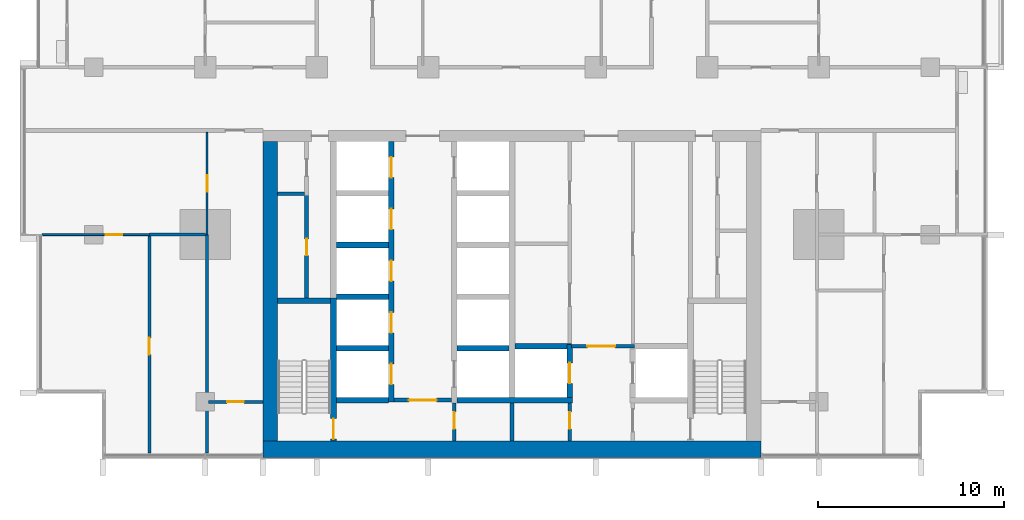
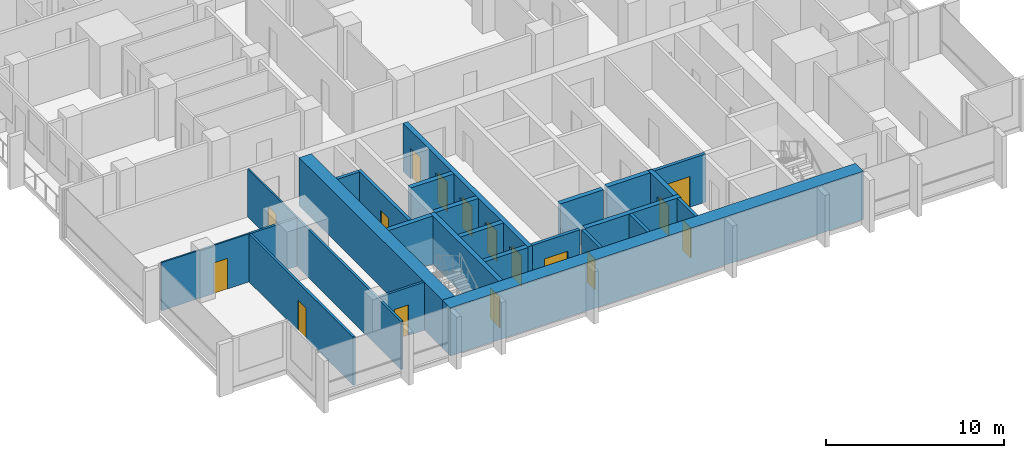
# One storey, part 7 of 17: 26 walls, 16 doors, 16 openings.
"""IFC4 building model written with IfcOpenShell, lengths in metres."""

from ifc_helpers import new_model, si_unit, direction, frame, frame_2d, origin, place, context, subcontext, project, spatial, rectangle, extrude, material, layer, layer_set, type_object, element, fill, save


model = new_model("IFC4")

# Units and contexts
model_context = context("Model", 3, precision=1e-05, world=origin(), true_north=direction((0.0, 1.0)))
body_context = subcontext(model_context, "Body", "Model", "MODEL_VIEW")
ifc_project = project(units=[si_unit("LENGTHUNIT", "METRE"), si_unit("AREAUNIT", "SQUARE_METRE"), si_unit("VOLUMEUNIT", "CUBIC_METRE"), si_unit("PLANEANGLEUNIT", "RADIAN"), si_unit("MASSUNIT", "GRAM", prefix="KILO")], contexts=[model_context])

# Site, building, storey
site_placement = place(None, origin())
site = spatial("IfcSite", under=ifc_project, at=site_placement, CompositionType="ELEMENT")
building_placement = place(site_placement, origin())
building = spatial("IfcBuilding", under=site, at=building_placement, Name="Finial Court Residences", CompositionType="ELEMENT")
storey_placement = place(building_placement, frame((0.0, 0.0, 102.699951171875)))
storey = spatial("IfcBuildingStorey", under=building, at=storey_placement, Name="L25", CompositionType="ELEMENT", Elevation=102.699951171875)

# Walls
ifc_material_1 = material(Name="Concrete C70/85", Category="concrete")
ifc_layer_1 = layer(ifc_material_1, 0.800048828125)
ifc_layer_set_1 = layer_set([ifc_layer_1], Name="Core outer wall 800 Concrete C70/85")
wall_type_1 = type_object("IfcWallType", Name="Core outer wall 800 Concrete C70/85", PredefinedType="SHEAR", material=ifc_layer_set_1)
wall_1_placement = place(storey_placement, frame((-13.0, -24.60009765625, 0.0), z_axis=(0.0, 0.0, 1.0), x_axis=(0.0, 1.0, 0.0)))
element("IfcWall", 1, at=wall_1_placement, inside=storey, type_object=wall_type_1, Name="Core outer wall L25-03", PredefinedType="SHEAR", context=body_context, shape_type="SweptSolid", body=[
    extrude(rectangle(XDim=16.10009765625, YDim=0.800048828125, at=frame_2d((8.050048828125, 0.0))), origin(), (0.0, 0.0, 1.0), 3.300048828125),
])
ifc_layer_2 = layer(ifc_material_1, 0.89990234375)
ifc_layer_set_2 = layer_set([ifc_layer_2], Name="Core south facade wall 900 Concrete C70/85")
wall_type_2 = type_object("IfcWallType", Name="Core south facade wall 900 Concrete C70/85", PredefinedType="SHEAR", material=ifc_layer_set_2)
wall_2_placement = place(storey_placement, frame((-13.39990234375, -25.050048828125, 0.0), z_axis=(0.0, 0.0, 1.0), x_axis=(1.0, 0.0, 0.0)))
element("IfcWall", 2, at=wall_2_placement, inside=storey, type_object=wall_type_2, Name="Core outer wall L25-01", PredefinedType="SHEAR", context=body_context, shape_type="SweptSolid", body=[
    extrude(rectangle(XDim=26.7998046875, YDim=0.89990234375, at=frame_2d((13.39990234375, 0.0))), origin(), (0.0, 0.0, 1.0), 3.300048828125),
])

# Wall, opening, door
ifc_material_2 = material(Name="Fire-rated gypsum board partition")
ifc_layer_3 = layer(ifc_material_2, 0.199951171875)
ifc_layer_set_3 = layer_set([ifc_layer_3], Name="Firefighting lobby wall 200 EI 120")
wall_type_3 = type_object("IfcWallType", Name="Firefighting lobby wall 200 EI 120", PredefinedType="PARTITIONING", material=ifc_layer_set_3)
wall_3_placement = place(storey_placement, frame((6.574951171875, -19.5, 0.0), z_axis=(0.0, 0.0, 1.0), x_axis=(-1.0, 0.0, 0.0)))
wall_3 = element("IfcWall", 3, at=wall_3_placement, inside=storey, type_object=wall_type_3, Name="Core partition L25-08", PredefinedType="PARTITIONING", context=body_context, shape_type="SweptSolid", body=[
    extrude(rectangle(XDim=3.375, YDim=0.199951171875, at=frame_2d((1.6875, 0.0))), origin(), (0.0, 0.0, 1.0), 3.300048828125),
])
opening_1_placement = place(wall_3_placement, frame((1.02490234375, 0.0, 0.0)))
opening_1 = element("IfcOpeningElement", 4, at=opening_1_placement, cuts=wall_3, Name="Opening L25-C02", PredefinedType="OPENING", context=body_context, shape_type="SweptSolid", body=[
    extrude(rectangle(XDim=1.5, YDim=2.10009765625, at=frame_2d((0.75, 1.050048828125))), frame((0.0, 0.10986328125, 0.0), z_axis=(0.0, -1.0, 0.0), x_axis=(1.0, 0.0, 0.0)), (0.0, 0.0, 1.0), 0.219970703125),
])
ifc_material_3 = material(Name="Steel fire door", Category="steel")
door_type_1 = type_object("IfcDoorType", Name="Firefighting lobby door 1500 x 2100 EI 90", OperationType="DOUBLE_DOOR_SINGLE_SWING", PredefinedType="DOOR", material=ifc_material_3)
door_1_placement = place(opening_1_placement, origin())
door_1 = element("IfcDoor", 5, at=door_1_placement, inside=storey, type_object=door_type_1, Name="Firefighting lobby door L25-C02", OperationType="DOUBLE_DOOR_SINGLE_SWING", OverallHeight=2.10009765625, OverallWidth=1.5, PredefinedType="DOOR", context=body_context, shape_type="SweptSolid", body=[
    extrude(rectangle(XDim=1.5, YDim=2.10009765625, at=frame_2d((0.75, 1.050048828125))), frame((0.0, 0.02490234375, 0.0), z_axis=(0.0, -1.0, 0.0), x_axis=(1.0, 0.0, 0.0)), (0.0, 0.0, 1.0), 0.050048828125),
])
fill(opening_1, door_1)

wall_4_placement = place(storey_placement, frame((3.10009765625, -24.60009765625, 0.0), z_axis=(0.0, 0.0, 1.0), x_axis=(0.0, 1.0, 0.0)))
wall_4 = element("IfcWall", 6, at=wall_4_placement, inside=storey, type_object=wall_type_3, Name="Core partition L25-30", PredefinedType="PARTITIONING", context=body_context, shape_type="SweptSolid", body=[
    extrude(rectangle(XDim=2.050048828125, YDim=0.199951171875, at=frame_2d((1.02490234375, 0.0))), origin(), (0.0, 0.0, 1.0), 3.300048828125),
])
opening_2_placement = place(wall_4_placement, frame((0.64990234375, 0.0, 0.0)))
opening_2 = element("IfcOpeningElement", 7, at=opening_2_placement, cuts=wall_4, Name="Opening L25-C06", PredefinedType="OPENING", context=body_context, shape_type="SweptSolid", body=[
    extrude(rectangle(XDim=0.89990234375, YDim=2.10009765625, at=frame_2d((0.449951171875, 1.050048828125))), frame((0.0, 0.10986328125, 0.0), z_axis=(0.0, -1.0, 0.0), x_axis=(1.0, 0.0, 0.0)), (0.0, 0.0, 1.0), 0.219970703125),
])
door_type_2 = type_object("IfcDoorType", Name="Riser room door 900 x 2100 EI 90", OperationType="NOTDEFINED", PredefinedType="DOOR", material=ifc_material_3)
door_2_placement = place(opening_2_placement, origin())
door_2 = element("IfcDoor", 8, at=door_2_placement, inside=storey, type_object=door_type_2, Name="Riser room door L25-C06", OperationType="SINGLE_SWING_LEFT", OverallHeight=2.10009765625, OverallWidth=0.89990234375, PredefinedType="DOOR", context=body_context, shape_type="SweptSolid", body=[
    extrude(rectangle(XDim=0.89990234375, YDim=2.10009765625, at=frame_2d((0.449951171875, 1.050048828125))), frame((0.0, 0.02490234375, 0.0), z_axis=(0.0, -1.0, 0.0), x_axis=(1.0, 0.0, 0.0)), (0.0, 0.0, 1.0), 0.050048828125),
])
fill(opening_2, door_2)

ifc_material_4 = material(Name="Gypsum board")
ifc_layer_4 = layer(ifc_material_4, 0.012451171875)
ifc_material_5 = material(Name="Mineral wool in light-gauge frame")
ifc_layer_5 = layer(ifc_material_5, 0.074951171875)
ifc_layer_6 = layer(ifc_material_4, 0.012451171875)
ifc_layer_set_4 = layer_set([ifc_layer_4, ifc_layer_5, ifc_layer_6], Name="Gypsum board partition 100")
wall_type_4 = type_object("IfcWallType", Name="Gypsum board partition 100", PredefinedType="PARTITIONING", material=ifc_layer_set_4)
wall_5_placement = place(storey_placement, frame((-25.25, -13.5, 0.0), z_axis=(0.0, 0.0, 1.0), x_axis=(1.0, 0.0, 0.0)))
wall_5 = element("IfcWall", 9, at=wall_5_placement, inside=storey, type_object=wall_type_4, Name="Partition L25-003", PredefinedType="PARTITIONING", context=body_context, shape_type="SweptSolid", body=[
    extrude(rectangle(XDim=5.75, YDim=0.10009765625, at=frame_2d((2.875, 0.0))), origin(), (0.0, 0.0, 1.0), 3.300048828125),
])
opening_3_placement = place(wall_5_placement, frame((3.39990234375, 0.0, 0.0)))
opening_3 = element("IfcOpeningElement", 10, at=opening_3_placement, cuts=wall_5, Name="Opening L25-D003", PredefinedType="OPENING", context=body_context, shape_type="SweptSolid", body=[
    extrude(rectangle(XDim=0.89990234375, YDim=2.10009765625, at=frame_2d((0.449951171875, 1.050048828125))), frame((0.0, 0.06005859375, 0.0), z_axis=(0.0, -1.0, 0.0), x_axis=(1.0, 0.0, 0.0)), (0.0, 0.0, 1.0), 0.1201171875),
])
ifc_material_6 = material(Name="Timber door leaf in timber frame", Category="wood")
door_type_3 = type_object("IfcDoorType", Name="Door set 900 x 2100", OperationType="SINGLE_SWING_LEFT", PredefinedType="DOOR", material=ifc_material_6)
door_3_placement = place(opening_3_placement, origin())
door_3 = element("IfcDoor", 11, at=door_3_placement, inside=storey, type_object=door_type_3, Name="Door L25-D003", OperationType="SINGLE_SWING_RIGHT", OverallHeight=2.10009765625, OverallWidth=0.89990234375, PredefinedType="DOOR", context=body_context, shape_type="SweptSolid", body=[
    extrude(rectangle(XDim=0.89990234375, YDim=2.10009765625, at=frame_2d((0.449951171875, 1.050048828125))), frame((0.0, 0.02490234375, 0.0), z_axis=(0.0, -1.0, 0.0), x_axis=(1.0, 0.0, 0.0)), (0.0, 0.0, 1.0), 0.050048828125),
])
fill(opening_3, door_3)

wall_6_placement = place(storey_placement, frame((-16.39990234375, -13.5, 0.0), z_axis=(0.0, 0.0, 1.0), x_axis=(0.0, 1.0, 0.0)))
wall_6 = element("IfcWall", 12, at=wall_6_placement, inside=storey, type_object=wall_type_4, Name="Partition L25-050", PredefinedType="PARTITIONING", context=body_context, shape_type="SweptSolid", body=[
    extrude(rectangle(XDim=5.5, YDim=0.10009765625, at=frame_2d((2.75, 0.0))), origin(), (0.0, 0.0, 1.0), 3.300048828125),
])
opening_4_placement = place(wall_6_placement, frame((2.300048828125, 0.0, 0.0)))
opening_4 = element("IfcOpeningElement", 13, at=opening_4_placement, cuts=wall_6, Name="Opening L25-D031", PredefinedType="OPENING", context=body_context, shape_type="SweptSolid", body=[
    extrude(rectangle(XDim=0.89990234375, YDim=2.10009765625, at=frame_2d((0.449951171875, 1.050048828125))), frame((0.0, 0.06005859375, 0.0), z_axis=(0.0, -1.0, 0.0), x_axis=(1.0, 0.0, 0.0)), (0.0, 0.0, 1.0), 0.1201171875),
])
door_4_placement = place(opening_4_placement, origin())
door_4 = element("IfcDoor", 14, at=door_4_placement, inside=storey, type_object=door_type_3, Name="Door L25-D031", OperationType="SINGLE_SWING_RIGHT", OverallHeight=2.10009765625, OverallWidth=0.89990234375, PredefinedType="DOOR", context=body_context, shape_type="SweptSolid", body=[
    extrude(rectangle(XDim=0.89990234375, YDim=2.10009765625, at=frame_2d((0.449951171875, 1.050048828125))), frame((0.0, 0.02490234375, 0.0), z_axis=(0.0, -1.0, 0.0), x_axis=(1.0, 0.0, 0.0)), (0.0, 0.0, 1.0), 0.050048828125),
])
fill(opening_4, door_4)

ifc_material_7 = material(Name="Moisture-resistant gypsum board")
ifc_layer_7 = layer(ifc_material_7, 0.012451171875)
ifc_layer_8 = layer(ifc_material_5, 0.125)
ifc_layer_9 = layer(ifc_material_7, 0.012451171875)
ifc_layer_set_5 = layer_set([ifc_layer_7, ifc_layer_8, ifc_layer_9], Name="Gypsum board wet-area partition 150")
wall_type_5 = type_object("IfcWallType", Name="Gypsum board wet-area partition 150", PredefinedType="PARTITIONING", material=ifc_layer_set_5)
wall_7_placement = place(storey_placement, frame((-16.324951171875, -22.5, 0.0), z_axis=(0.0, 0.0, 1.0), x_axis=(1.0, 0.0, 0.0)))
wall_7 = element("IfcWall", 15, at=wall_7_placement, inside=storey, type_object=wall_type_5, Name="Partition L25-000", PredefinedType="PARTITIONING", context=body_context, shape_type="SweptSolid", body=[
    extrude(rectangle(XDim=2.925048828125, YDim=0.14990234375, at=frame_2d((1.46240234375, 0.0))), origin(), (0.0, 0.0, 1.0), 3.300048828125),
])
opening_5_placement = place(wall_7_placement, frame((1.0, 0.0, 0.0)))
opening_5 = element("IfcOpeningElement", 16, at=opening_5_placement, cuts=wall_7, Name="Opening L25-D001", PredefinedType="OPENING", context=body_context, shape_type="SweptSolid", body=[
    extrude(rectangle(XDim=0.89990234375, YDim=2.10009765625, at=frame_2d((0.449951171875, 1.050048828125))), frame((0.0, 0.0849609375, 0.0), z_axis=(0.0, -1.0, 0.0), x_axis=(1.0, 0.0, 0.0)), (0.0, 0.0, 1.0), 0.169921875),
])
door_5_placement = place(opening_5_placement, origin())
door_5 = element("IfcDoor", 17, at=door_5_placement, inside=storey, type_object=door_type_3, Name="Door L25-D001", OperationType="SINGLE_SWING_LEFT", OverallHeight=2.10009765625, OverallWidth=0.89990234375, PredefinedType="DOOR", context=body_context, shape_type="SweptSolid", body=[
    extrude(rectangle(XDim=0.89990234375, YDim=2.10009765625, at=frame_2d((0.449951171875, 1.050048828125))), frame((0.0, 0.02490234375, 0.0), z_axis=(0.0, -1.0, 0.0), x_axis=(1.0, 0.0, 0.0)), (0.0, 0.0, 1.0), 0.050048828125),
])
fill(opening_5, door_5)

# Wall
wall_8_placement = place(storey_placement, frame((-19.5, -13.5, 0.0), z_axis=(0.0, 0.0, 1.0), x_axis=(1.0, 0.0, 0.0)))
element("IfcWall", 18, at=wall_8_placement, inside=storey, type_object=wall_type_5, Name="Partition L25-005", PredefinedType="PARTITIONING", context=body_context, shape_type="SweptSolid", body=[
    extrude(rectangle(XDim=3.02490234375, YDim=0.14990234375, at=frame_2d((1.512451171875, 0.0))), origin(), (0.0, 0.0, 1.0), 3.300048828125),
])

# Wall, opening, door
wall_9_placement = place(storey_placement, frame((-19.5, -25.25, 0.0), z_axis=(0.0, 0.0, 1.0), x_axis=(0.0, 1.0, 0.0)))
wall_9 = element("IfcWall", 19, at=wall_9_placement, inside=storey, type_object=wall_type_5, Name="Partition L25-042", PredefinedType="PARTITIONING", context=body_context, shape_type="SweptSolid", body=[
    extrude(rectangle(XDim=11.675048828125, YDim=0.14990234375, at=frame_2d((5.83740234375, 0.0))), origin(), (0.0, 0.0, 1.0), 3.300048828125),
])
opening_6_placement = place(wall_9_placement, frame((5.300048828125, 0.0, 0.0)))
opening_6 = element("IfcOpeningElement", 20, at=opening_6_placement, cuts=wall_9, Name="Opening L25-D023", PredefinedType="OPENING", context=body_context, shape_type="SweptSolid", body=[
    extrude(rectangle(XDim=0.89990234375, YDim=2.10009765625, at=frame_2d((0.449951171875, 1.050048828125))), frame((0.0, 0.0849609375, 0.0), z_axis=(0.0, -1.0, 0.0), x_axis=(1.0, 0.0, 0.0)), (0.0, 0.0, 1.0), 0.169921875),
])
door_6_placement = place(opening_6_placement, origin())
door_6 = element("IfcDoor", 21, at=door_6_placement, inside=storey, type_object=door_type_3, Name="Door L25-D023", OperationType="SINGLE_SWING_RIGHT", OverallHeight=2.10009765625, OverallWidth=0.89990234375, PredefinedType="DOOR", context=body_context, shape_type="SweptSolid", body=[
    extrude(rectangle(XDim=0.89990234375, YDim=2.10009765625, at=frame_2d((0.449951171875, 1.050048828125))), frame((0.0, 0.02490234375, 0.0), z_axis=(0.0, -1.0, 0.0), x_axis=(1.0, 0.0, 0.0)), (0.0, 0.0, 1.0), 0.050048828125),
])
fill(opening_6, door_6)

# Walls
wall_10_placement = place(storey_placement, frame((-16.39990234375, -25.25, 0.0), z_axis=(0.0, 0.0, 1.0), x_axis=(0.0, 1.0, 0.0)))
element("IfcWall", 22, at=wall_10_placement, inside=storey, type_object=wall_type_5, Name="Partition L25-051", PredefinedType="PARTITIONING", context=body_context, shape_type="SweptSolid", body=[
    extrude(rectangle(XDim=11.75, YDim=0.14990234375, at=frame_2d((5.875, 0.0))), origin(), (0.0, 0.0, 1.0), 3.300048828125),
])
ifc_layer_10 = layer(ifc_material_1, 0.300048828125)
ifc_layer_set_6 = layer_set([ifc_layer_10], Name="Lift shaft and stair wall 300 Concrete C70/85")
wall_type_6 = type_object("IfcWallType", Name="Lift shaft and stair wall 300 Concrete C70/85", PredefinedType="SHEAR", material=ifc_layer_set_6)
wall_11_placement = place(storey_placement, frame((-9.449951171875, -22.39990234375, 0.0), z_axis=(0.0, 0.0, 1.0), x_axis=(1.0, 0.0, 0.0)))
element("IfcWall", 23, at=wall_11_placement, inside=storey, type_object=wall_type_6, Name="Core wall L25-01", PredefinedType="SHEAR", context=body_context, shape_type="SweptSolid", body=[
    extrude(rectangle(XDim=2.800048828125, YDim=0.300048828125, at=frame_2d((1.39990234375, 0.0))), origin(), (0.0, 0.0, 1.0), 3.300048828125),
])
wall_12_placement = place(storey_placement, frame((-2.949951171875, -22.39990234375, 0.0), z_axis=(0.0, 0.0, 1.0), x_axis=(1.0, 0.0, 0.0)))
element("IfcWall", 24, at=wall_12_placement, inside=storey, type_object=wall_type_6, Name="Core wall L25-03", PredefinedType="SHEAR", context=body_context, shape_type="SweptSolid", body=[
    extrude(rectangle(XDim=6.199951171875, YDim=0.300048828125, at=frame_2d((3.10009765625, 0.0))), origin(), (0.0, 0.0, 1.0), 3.300048828125),
])
for number, where, z_axis, x_axis, name in (
    (25, (-9.449951171875, -19.6201171875, 0.0), (0.0, 0.0, 1.0), (1.0, 0.0, 0.0), "Core wall L25-05"),
    (26, (-2.949951171875, -19.6201171875, 0.0), (0.0, 0.0, 1.0), (1.0, 0.0, 0.0), "Core wall L25-06"),
):
    element("IfcWall", number, at=place(storey_placement, frame(where, z_axis=z_axis, x_axis=x_axis)), inside=storey, type_object=wall_type_6, Name=name, PredefinedType="SHEAR", context=body_context, shape_type="SweptSolid", body=[
        extrude(rectangle(XDim=2.800048828125, YDim=0.300048828125, at=frame_2d((1.39990234375, 0.0))), origin(), (0.0, 0.0, 1.0), 3.300048828125),
    ])
wall_13_placement = place(storey_placement, frame((0.14990234375, -19.5, 0.0), z_axis=(0.0, 0.0, 1.0), x_axis=(1.0, 0.0, 0.0)))
element("IfcWall", 27, at=wall_13_placement, inside=storey, type_object=wall_type_6, Name="Core wall L25-07", PredefinedType="SHEAR", context=body_context, shape_type="SweptSolid", body=[
    extrude(rectangle(XDim=3.050048828125, YDim=0.300048828125, at=frame_2d((1.52490234375, 0.0))), origin(), (0.0, 0.0, 1.0), 3.300048828125),
])
wall_14_placement = place(storey_placement, frame((-12.60009765625, -17.050048828125, 0.0), z_axis=(0.0, 0.0, 1.0), x_axis=(1.0, 0.0, 0.0)))
element("IfcWall", 28, at=wall_14_placement, inside=storey, type_object=wall_type_6, Name="Core wall L25-10", PredefinedType="SHEAR", context=body_context, shape_type="SweptSolid", body=[
    extrude(rectangle(XDim=2.85009765625, YDim=0.300048828125, at=frame_2d((1.425048828125, 0.0))), origin(), (0.0, 0.0, 1.0), 3.300048828125),
])
for number, where, z_axis, x_axis, name in (
    (29, (-9.449951171875, -16.840087890625, 0.0), (0.0, 0.0, 1.0), (1.0, 0.0, 0.0), "Core wall L25-12"),
    (30, (-9.449951171875, -14.06005859375, 0.0), (0.0, 0.0, 1.0), (1.0, 0.0, 0.0), "Core wall L25-14"),
):
    element("IfcWall", number, at=place(storey_placement, frame(where, z_axis=z_axis, x_axis=x_axis)), inside=storey, type_object=wall_type_6, Name=name, PredefinedType="SHEAR", context=body_context, shape_type="SweptSolid", body=[
        extrude(rectangle(XDim=2.800048828125, YDim=0.300048828125, at=frame_2d((1.39990234375, 0.0))), origin(), (0.0, 0.0, 1.0), 3.300048828125),
    ])

# Wall, opening, door
wall_15_placement = place(storey_placement, frame((-9.60009765625, -24.60009765625, 0.0), z_axis=(0.0, 0.0, 1.0), x_axis=(0.0, 1.0, 0.0)))
wall_15 = element("IfcWall", 31, at=wall_15_placement, inside=storey, type_object=wall_type_6, Name="Core wall L25-23", PredefinedType="SHEAR", context=body_context, shape_type="SweptSolid", body=[
    extrude(rectangle(XDim=7.7001953125, YDim=0.300048828125, at=frame_2d((3.85009765625, 0.0))), origin(), (0.0, 0.0, 1.0), 3.300048828125),
])
opening_7_placement = place(wall_15_placement, frame((0.10009765625, 0.0, 0.0)))
opening_7 = element("IfcOpeningElement", 32, at=opening_7_placement, cuts=wall_15, Name="Opening L25-C17", PredefinedType="OPENING", context=body_context, shape_type="SweptSolid", body=[
    extrude(rectangle(XDim=1.10009765625, YDim=2.10009765625, at=frame_2d((0.550048828125, 1.050048828125))), frame((0.0, 0.159912109375, 0.0), z_axis=(0.0, -1.0, 0.0), x_axis=(1.0, 0.0, 0.0)), (0.0, 0.0, 1.0), 0.320068359375),
])
door_type_4 = type_object("IfcDoorType", Name="Stair door 1100 x 2100 EI 90", OperationType="NOTDEFINED", PredefinedType="DOOR", material=ifc_material_3)
door_7_placement = place(opening_7_placement, origin())
door_7 = element("IfcDoor", 33, at=door_7_placement, inside=storey, type_object=door_type_4, Name="Stair door L25-C17", OperationType="SINGLE_SWING_LEFT", OverallHeight=2.10009765625, OverallWidth=1.10009765625, PredefinedType="DOOR", context=body_context, shape_type="SweptSolid", body=[
    extrude(rectangle(XDim=1.10009765625, YDim=2.10009765625, at=frame_2d((0.550048828125, 1.050048828125))), frame((0.0, 0.02490234375, 0.0), z_axis=(0.0, -1.0, 0.0), x_axis=(1.0, 0.0, 0.0)), (0.0, 0.0, 1.0), 0.050048828125),
])
fill(opening_7, door_7)

# Wall, openings, doors
wall_16_placement = place(storey_placement, frame((-6.5, -22.5, 0.0), z_axis=(0.0, 0.0, 1.0), x_axis=(0.0, 1.0, 0.0)))
wall_16 = element("IfcWall", 34, at=wall_16_placement, inside=storey, type_object=wall_type_6, Name="Core wall L25-25", PredefinedType="SHEAR", context=body_context, shape_type="SweptSolid", body=[
    extrude(rectangle(XDim=14.0, YDim=0.300048828125, at=frame_2d((7.0, 0.0))), origin(), (0.0, 0.0, 1.0), 3.300048828125),
])
opening_8_placement = place(wall_16_placement, frame((0.93994140625, 0.0, 0.0)))
opening_8 = element("IfcOpeningElement", 35, at=opening_8_placement, cuts=wall_16, Name="Opening L25-LD03", PredefinedType="OPENING", context=body_context, shape_type="SweptSolid", body=[
    extrude(rectangle(XDim=1.10009765625, YDim=2.10009765625, at=frame_2d((0.550048828125, 1.050048828125))), frame((0.0, 0.159912109375, 0.0), z_axis=(0.0, -1.0, 0.0), x_axis=(1.0, 0.0, 0.0)), (0.0, 0.0, 1.0), 0.320068359375),
])
opening_9_placement = place(wall_16_placement, frame((3.719970703125, 0.0, 0.0)))
opening_9 = element("IfcOpeningElement", 36, at=opening_9_placement, cuts=wall_16, Name="Opening L25-LD04", PredefinedType="OPENING", context=body_context, shape_type="SweptSolid", body=[
    extrude(rectangle(XDim=1.10009765625, YDim=2.10009765625, at=frame_2d((0.550048828125, 1.050048828125))), frame((0.0, 0.159912109375, 0.0), z_axis=(0.0, -1.0, 0.0), x_axis=(1.0, 0.0, 0.0)), (0.0, 0.0, 1.0), 0.320068359375),
])
opening_10_placement = place(wall_16_placement, frame((6.5, 0.0, 0.0)))
opening_10 = element("IfcOpeningElement", 37, at=opening_10_placement, cuts=wall_16, Name="Opening L25-LD05", PredefinedType="OPENING", context=body_context, shape_type="SweptSolid", body=[
    extrude(rectangle(XDim=1.10009765625, YDim=2.10009765625, at=frame_2d((0.550048828125, 1.050048828125))), frame((0.0, 0.159912109375, 0.0), z_axis=(0.0, -1.0, 0.0), x_axis=(1.0, 0.0, 0.0)), (0.0, 0.0, 1.0), 0.320068359375),
])
opening_11_placement = place(wall_16_placement, frame((9.280029296875, 0.0, 0.0)))
opening_11 = element("IfcOpeningElement", 38, at=opening_11_placement, cuts=wall_16, Name="Opening L25-LD06", PredefinedType="OPENING", context=body_context, shape_type="SweptSolid", body=[
    extrude(rectangle(XDim=1.10009765625, YDim=2.10009765625, at=frame_2d((0.550048828125, 1.050048828125))), frame((0.0, 0.159912109375, 0.0), z_axis=(0.0, -1.0, 0.0), x_axis=(1.0, 0.0, 0.0)), (0.0, 0.0, 1.0), 0.320068359375),
])
opening_12_placement = place(wall_16_placement, frame((12.06005859375, 0.0, 0.0)))
opening_12 = element("IfcOpeningElement", 39, at=opening_12_placement, cuts=wall_16, Name="Opening L25-LD07", PredefinedType="OPENING", context=body_context, shape_type="SweptSolid", body=[
    extrude(rectangle(XDim=1.10009765625, YDim=2.10009765625, at=frame_2d((0.550048828125, 1.050048828125))), frame((0.0, 0.159912109375, 0.0), z_axis=(0.0, -1.0, 0.0), x_axis=(1.0, 0.0, 0.0)), (0.0, 0.0, 1.0), 0.320068359375),
])
ifc_material_8 = material(Name="Stainless steel lift door", Category="steel")
door_type_5 = type_object("IfcDoorType", Name="Lift landing door 1100 x 2100 EI 90", OperationType="DOUBLE_DOOR_SLIDING", PredefinedType="DOOR", material=ifc_material_8)
door_8_placement = place(opening_8_placement, origin())
door_8 = element("IfcDoor", 40, at=door_8_placement, inside=storey, type_object=door_type_5, Name="Lift landing door LR1 L25", OperationType="DOUBLE_DOOR_SLIDING", OverallHeight=2.10009765625, OverallWidth=1.10009765625, PredefinedType="DOOR", context=body_context, shape_type="SweptSolid", body=[
    extrude(rectangle(XDim=1.10009765625, YDim=2.10009765625, at=frame_2d((0.550048828125, 1.050048828125))), frame((0.0, 0.02490234375, 0.0), z_axis=(0.0, -1.0, 0.0), x_axis=(1.0, 0.0, 0.0)), (0.0, 0.0, 1.0), 0.050048828125),
])
fill(opening_8, door_8)
door_9_placement = place(opening_9_placement, origin())
door_9 = element("IfcDoor", 41, at=door_9_placement, inside=storey, type_object=door_type_5, Name="Lift landing door LR2 L25", OperationType="DOUBLE_DOOR_SLIDING", OverallHeight=2.10009765625, OverallWidth=1.10009765625, PredefinedType="DOOR", context=body_context, shape_type="SweptSolid", body=[
    extrude(rectangle(XDim=1.10009765625, YDim=2.10009765625, at=frame_2d((0.550048828125, 1.050048828125))), frame((0.0, 0.02490234375, 0.0), z_axis=(0.0, -1.0, 0.0), x_axis=(1.0, 0.0, 0.0)), (0.0, 0.0, 1.0), 0.050048828125),
])
fill(opening_9, door_9)
door_10_placement = place(opening_10_placement, origin())
door_10 = element("IfcDoor", 42, at=door_10_placement, inside=storey, type_object=door_type_5, Name="Lift landing door LR3 L25", OperationType="DOUBLE_DOOR_SLIDING", OverallHeight=2.10009765625, OverallWidth=1.10009765625, PredefinedType="DOOR", context=body_context, shape_type="SweptSolid", body=[
    extrude(rectangle(XDim=1.10009765625, YDim=2.10009765625, at=frame_2d((0.550048828125, 1.050048828125))), frame((0.0, 0.02490234375, 0.0), z_axis=(0.0, -1.0, 0.0), x_axis=(1.0, 0.0, 0.0)), (0.0, 0.0, 1.0), 0.050048828125),
])
fill(opening_10, door_10)
door_11_placement = place(opening_11_placement, origin())
door_11 = element("IfcDoor", 43, at=door_11_placement, inside=storey, type_object=door_type_5, Name="Lift landing door LR4 L25", OperationType="DOUBLE_DOOR_SLIDING", OverallHeight=2.10009765625, OverallWidth=1.10009765625, PredefinedType="DOOR", context=body_context, shape_type="SweptSolid", body=[
    extrude(rectangle(XDim=1.10009765625, YDim=2.10009765625, at=frame_2d((0.550048828125, 1.050048828125))), frame((0.0, 0.02490234375, 0.0), z_axis=(0.0, -1.0, 0.0), x_axis=(1.0, 0.0, 0.0)), (0.0, 0.0, 1.0), 0.050048828125),
])
fill(opening_11, door_11)
door_12_placement = place(opening_12_placement, origin())
door_12 = element("IfcDoor", 44, at=door_12_placement, inside=storey, type_object=door_type_5, Name="Lift landing door LR5 L25", OperationType="DOUBLE_DOOR_SLIDING", OverallHeight=2.10009765625, OverallWidth=1.10009765625, PredefinedType="DOOR", context=body_context, shape_type="SweptSolid", body=[
    extrude(rectangle(XDim=1.10009765625, YDim=2.10009765625, at=frame_2d((0.550048828125, 1.050048828125))), frame((0.0, 0.02490234375, 0.0), z_axis=(0.0, -1.0, 0.0), x_axis=(1.0, 0.0, 0.0)), (0.0, 0.0, 1.0), 0.050048828125),
])
fill(opening_12, door_12)

# Wall, opening, door
wall_17_placement = place(storey_placement, frame((3.10009765625, -22.25, 0.0), z_axis=(0.0, 0.0, 1.0), x_axis=(0.0, 1.0, 0.0)))
wall_17 = element("IfcWall", 45, at=wall_17_placement, inside=storey, type_object=wall_type_6, Name="Core wall L25-31", PredefinedType="SHEAR", context=body_context, shape_type="SweptSolid", body=[
    extrude(rectangle(XDim=2.85009765625, YDim=0.300048828125, at=frame_2d((1.425048828125, 0.0))), origin(), (0.0, 0.0, 1.0), 3.300048828125),
])
opening_13_placement = place(wall_17_placement, frame((0.75, 0.0, 0.0)))
opening_13 = element("IfcOpeningElement", 46, at=opening_13_placement, cuts=wall_17, Name="Opening L25-LD01", PredefinedType="OPENING", context=body_context, shape_type="SweptSolid", body=[
    extrude(rectangle(XDim=1.10009765625, YDim=2.10009765625, at=frame_2d((0.550048828125, 1.050048828125))), frame((0.0, 0.159912109375, 0.0), z_axis=(0.0, -1.0, 0.0), x_axis=(1.0, 0.0, 0.0)), (0.0, 0.0, 1.0), 0.320068359375),
])
door_13_placement = place(opening_13_placement, origin())
door_13 = element("IfcDoor", 47, at=door_13_placement, inside=storey, type_object=door_type_5, Name="Lift landing door FF1 L25", OperationType="DOUBLE_DOOR_SLIDING", OverallHeight=2.10009765625, OverallWidth=1.10009765625, PredefinedType="DOOR", context=body_context, shape_type="SweptSolid", body=[
    extrude(rectangle(XDim=1.10009765625, YDim=2.10009765625, at=frame_2d((0.550048828125, 1.050048828125))), frame((0.0, 0.02490234375, 0.0), z_axis=(0.0, -1.0, 0.0), x_axis=(1.0, 0.0, 0.0)), (0.0, 0.0, 1.0), 0.050048828125),
])
fill(opening_13, door_13)

# Walls
ifc_layer_11 = layer(ifc_material_2, 0.199951171875)
ifc_layer_set_7 = layer_set([ifc_layer_11], Name="Riser room wall 200 EI 120")
wall_type_7 = type_object("IfcWallType", Name="Riser room wall 200 EI 120", PredefinedType="PARTITIONING", material=ifc_layer_set_7)
wall_18_placement = place(storey_placement, frame((-12.60009765625, -11.300048828125, 0.0), z_axis=(0.0, 0.0, 1.0), x_axis=(1.0, 0.0, 0.0)))
element("IfcWall", 48, at=wall_18_placement, inside=storey, type_object=wall_type_7, Name="Core partition L25-18", PredefinedType="PARTITIONING", context=body_context, shape_type="SweptSolid", body=[
    extrude(rectangle(XDim=1.4501953125, YDim=0.199951171875, at=frame_2d((0.72509765625, 0.0))), origin(), (0.0, 0.0, 1.0), 3.300048828125),
])
wall_19_placement = place(storey_placement, frame((0.0, -24.60009765625, 0.0), z_axis=(0.0, 0.0, 1.0), x_axis=(0.0, 1.0, 0.0)))
element("IfcWall", 49, at=wall_19_placement, inside=storey, type_object=wall_type_7, Name="Core partition L25-28", PredefinedType="PARTITIONING", context=body_context, shape_type="SweptSolid", body=[
    extrude(rectangle(XDim=2.050048828125, YDim=0.199951171875, at=frame_2d((1.02490234375, 0.0))), origin(), (0.0, 0.0, 1.0), 3.300048828125),
])

# Wall, opening, door
ifc_layer_12 = layer(ifc_material_2, 0.199951171875)
ifc_layer_set_8 = layer_set([ifc_layer_12], Name="Stair passage wall 200 EI 180")
wall_type_8 = type_object("IfcWallType", Name="Stair passage wall 200 EI 180", PredefinedType="PARTITIONING", material=ifc_layer_set_8)
wall_20_placement = place(storey_placement, frame((-3.25, -22.39990234375, 0.0), z_axis=(0.0, 0.0, 1.0), x_axis=(-1.0, 0.0, 0.0)))
wall_20 = element("IfcWall", 50, at=wall_20_placement, inside=storey, type_object=wall_type_8, Name="Core partition L25-02", PredefinedType="PARTITIONING", context=body_context, shape_type="SweptSolid", body=[
    extrude(rectangle(XDim=3.10009765625, YDim=0.199951171875, at=frame_2d((1.550048828125, 0.0))), origin(), (0.0, 0.0, 1.0), 3.300048828125),
])
opening_14_placement = place(wall_20_placement, frame((0.800048828125, 0.0, 0.0)))
opening_14 = element("IfcOpeningElement", 51, at=opening_14_placement, cuts=wall_20, Name="Opening L25-C03", PredefinedType="OPENING", context=body_context, shape_type="SweptSolid", body=[
    extrude(rectangle(XDim=1.5, YDim=2.10009765625, at=frame_2d((0.75, 1.050048828125))), frame((0.0, 0.10986328125, 0.0), z_axis=(0.0, -1.0, 0.0), x_axis=(1.0, 0.0, 0.0)), (0.0, 0.0, 1.0), 0.219970703125),
])
door_type_6 = type_object("IfcDoorType", Name="Lift lobby door 1500 x 2100 EI 60", OperationType="DOUBLE_DOOR_SINGLE_SWING", PredefinedType="DOOR", material=ifc_material_3)
door_14_placement = place(opening_14_placement, origin())
door_14 = element("IfcDoor", 52, at=door_14_placement, inside=storey, type_object=door_type_6, Name="Lift lobby door L25-C03", OperationType="DOUBLE_DOOR_SINGLE_SWING", OverallHeight=2.10009765625, OverallWidth=1.5, PredefinedType="DOOR", context=body_context, shape_type="SweptSolid", body=[
    extrude(rectangle(XDim=1.5, YDim=2.10009765625, at=frame_2d((0.75, 1.050048828125))), frame((0.0, 0.02490234375, 0.0), z_axis=(0.0, -1.0, 0.0), x_axis=(1.0, 0.0, 0.0)), (0.0, 0.0, 1.0), 0.050048828125),
])
fill(opening_14, door_14)

wall_21_placement = place(storey_placement, frame((-11.050048828125, -16.89990234375, 0.0), z_axis=(0.0, 0.0, 1.0), x_axis=(0.0, 1.0, 0.0)))
wall_21 = element("IfcWall", 53, at=wall_21_placement, inside=storey, type_object=wall_type_8, Name="Core partition L25-21", PredefinedType="PARTITIONING", context=body_context, shape_type="SweptSolid", body=[
    extrude(rectangle(XDim=5.699951171875, YDim=0.199951171875, at=frame_2d((2.85009765625, 0.0))), origin(), (0.0, 0.0, 1.0), 3.300048828125),
])
opening_15_placement = place(wall_21_placement, frame((2.27490234375, 0.0, 0.0)))
opening_15 = element("IfcOpeningElement", 54, at=opening_15_placement, cuts=wall_21, Name="Opening L25-C14", PredefinedType="OPENING", context=body_context, shape_type="SweptSolid", body=[
    extrude(rectangle(XDim=0.89990234375, YDim=2.10009765625, at=frame_2d((0.449951171875, 1.050048828125))), frame((0.0, 0.10986328125, 0.0), z_axis=(0.0, -1.0, 0.0), x_axis=(1.0, 0.0, 0.0)), (0.0, 0.0, 1.0), 0.219970703125),
])
door_type_7 = type_object("IfcDoorType", Name="Core room door 900 x 2100 EI 60", OperationType="NOTDEFINED", PredefinedType="DOOR", material=ifc_material_3)
door_15_placement = place(opening_15_placement, origin())
door_15 = element("IfcDoor", 55, at=door_15_placement, inside=storey, type_object=door_type_7, Name="Core room door L25-C14", OperationType="SINGLE_SWING_LEFT", OverallHeight=2.10009765625, OverallWidth=0.89990234375, PredefinedType="DOOR", context=body_context, shape_type="SweptSolid", body=[
    extrude(rectangle(XDim=0.89990234375, YDim=2.10009765625, at=frame_2d((0.449951171875, 1.050048828125))), frame((0.0, 0.02490234375, 0.0), z_axis=(0.0, -1.0, 0.0), x_axis=(1.0, 0.0, 0.0)), (0.0, 0.0, 1.0), 0.050048828125),
])
fill(opening_15, door_15)

wall_22_placement = place(storey_placement, frame((-3.10009765625, -22.550048828125, 0.0), z_axis=(0.0, 0.0, 1.0), x_axis=(0.0, -1.0, 0.0)))
wall_22 = element("IfcWall", 56, at=wall_22_placement, inside=storey, type_object=wall_type_8, Name="Core partition L25-26", PredefinedType="PARTITIONING", context=body_context, shape_type="SweptSolid", body=[
    extrude(rectangle(XDim=2.050048828125, YDim=0.199951171875, at=frame_2d((1.02490234375, 0.0))), origin(), (0.0, 0.0, 1.0), 3.300048828125),
])
opening_16_placement = place(wall_22_placement, frame((0.5, 0.0, 0.0)))
opening_16 = element("IfcOpeningElement", 57, at=opening_16_placement, cuts=wall_22, Name="Opening L25-C13", PredefinedType="OPENING", context=body_context, shape_type="SweptSolid", body=[
    extrude(rectangle(XDim=0.89990234375, YDim=2.10009765625, at=frame_2d((0.449951171875, 1.050048828125))), frame((0.0, 0.10986328125, 0.0), z_axis=(0.0, -1.0, 0.0), x_axis=(1.0, 0.0, 0.0)), (0.0, 0.0, 1.0), 0.219970703125),
])
door_16_placement = place(opening_16_placement, origin())
door_16 = element("IfcDoor", 58, at=door_16_placement, inside=storey, type_object=door_type_7, Name="Core room door L25-C13", OperationType="SINGLE_SWING_RIGHT", OverallHeight=2.10009765625, OverallWidth=0.89990234375, PredefinedType="DOOR", context=body_context, shape_type="SweptSolid", body=[
    extrude(rectangle(XDim=0.89990234375, YDim=2.10009765625, at=frame_2d((0.449951171875, 1.050048828125))), frame((0.0, 0.02490234375, 0.0), z_axis=(0.0, -1.0, 0.0), x_axis=(1.0, 0.0, 0.0)), (0.0, 0.0, 1.0), 0.050048828125),
])
fill(opening_16, door_16)

save(model, "model.ifc")
